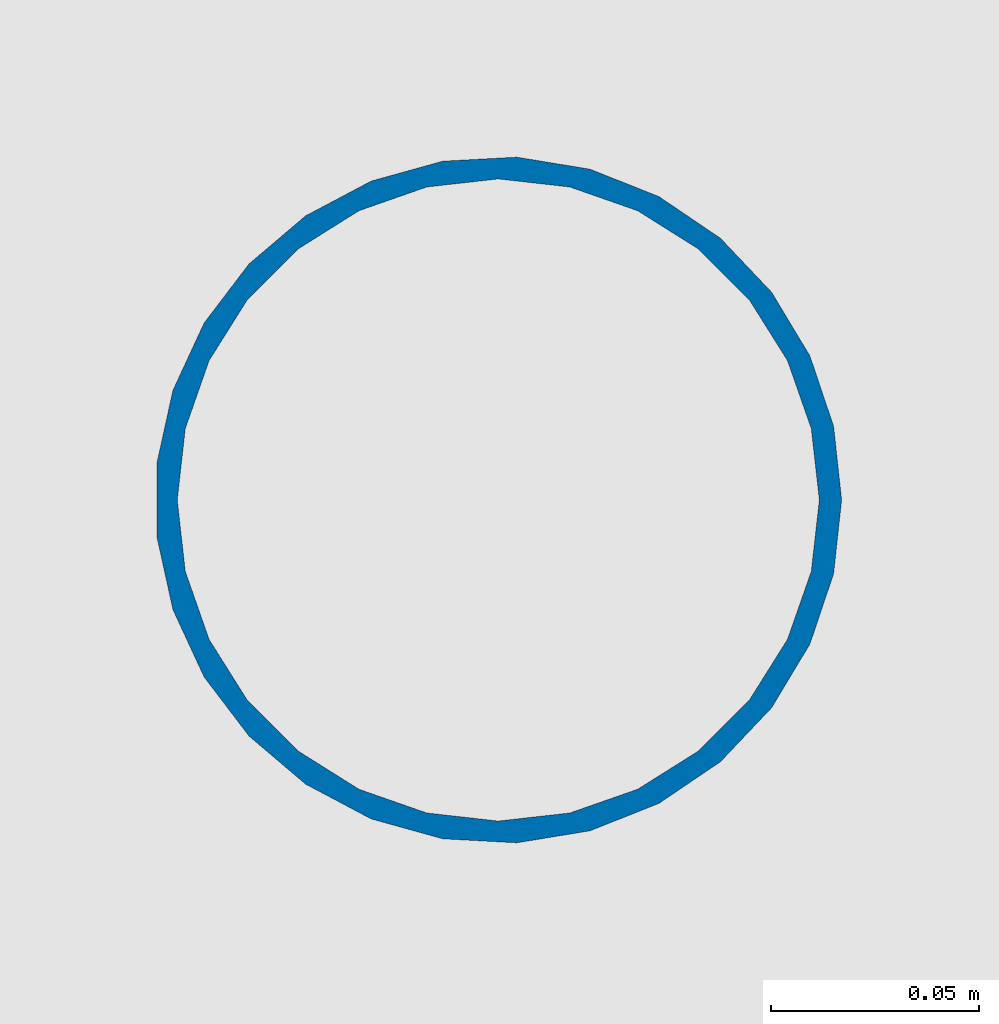
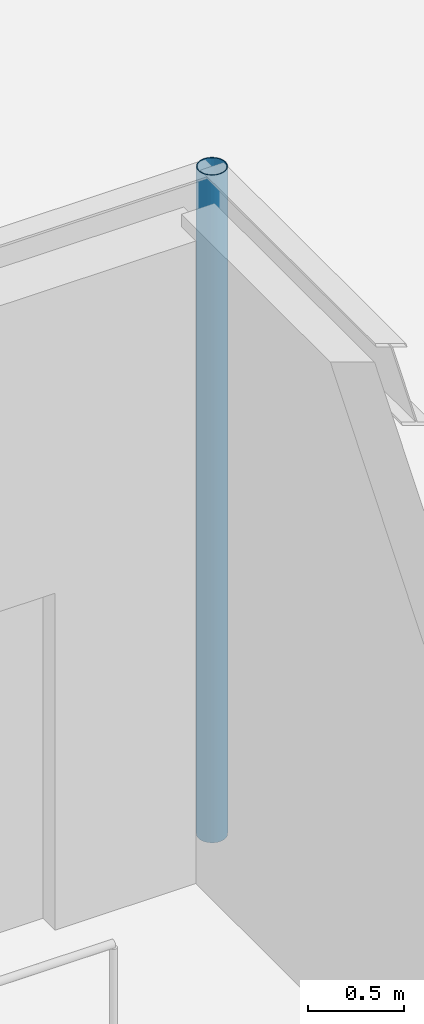
# One storey, part 5 of 135: 1 column.
"""IFC4 building model written with IfcOpenShell, lengths in metres."""

from ifc_helpers import new_model, si_unit, direction, frame, origin, origin_2d, place, context, subcontext, project, spatial, hollow_circle, extrude, material, material_profile, profile_set, type_object, element, save


model = new_model("IFC4")

# Units and contexts
model_context = context("Model", 3, precision=1e-05, world=origin(), true_north=direction((0.0, 1.0)))
body_context = subcontext(model_context, "Body", "Model", "MODEL_VIEW")
ifc_project = project(units=[si_unit("LENGTHUNIT", "METRE"), si_unit("AREAUNIT", "SQUARE_METRE"), si_unit("VOLUMEUNIT", "CUBIC_METRE"), si_unit("PLANEANGLEUNIT", "RADIAN"), si_unit("MASSUNIT", "GRAM", prefix="KILO")], contexts=[model_context])

# Site, building, storey
site_placement = place(None, origin())
site = spatial("IfcSite", under=ifc_project, at=site_placement, CompositionType="ELEMENT")
building_placement = place(site_placement, origin())
building = spatial("IfcBuilding", under=site, at=building_placement, Name="Kiranvali Square Residences", CompositionType="ELEMENT")
storey_placement = place(building_placement, origin())
storey = spatial("IfcBuildingStorey", under=building, at=storey_placement, Name="L00", CompositionType="ELEMENT", Elevation=0.0)

# Column
ifc_material = material(Name="Structural steel E350", Category="steel")
ifc_material_profile = material_profile(ifc_material, hollow_circle(Radius=0.08251953125, WallThickness=0.00537109375, at=origin_2d()), Name="CHS 165.1x5.4")
ifc_profile_set = profile_set([ifc_material_profile], Name="Structural steel E350")
column_type = type_object("IfcColumnType", Name="SCOL-CHS165", PredefinedType="COLUMN", material=ifc_profile_set)
column_placement = place(storey_placement, frame((83.60009765625, 25.800048828125, 0.0), z_axis=(0.0, 0.0, 1.0), x_axis=(1.0, 0.0, 0.0)))
element("IfcColumn", 1, at=column_placement, inside=storey, type_object=column_type, Name="South Boulevard Ramp and Arcade Portal steel column 4.2", PredefinedType="COLUMN", context=body_context, shape_type="SweptSolid", body=[
    extrude(hollow_circle(Radius=0.08251953125, WallThickness=0.00537109375, at=origin_2d()), origin(), (0.0, 0.0, 1.0), 4.260009765625),
])

save(model, "model.ifc")
